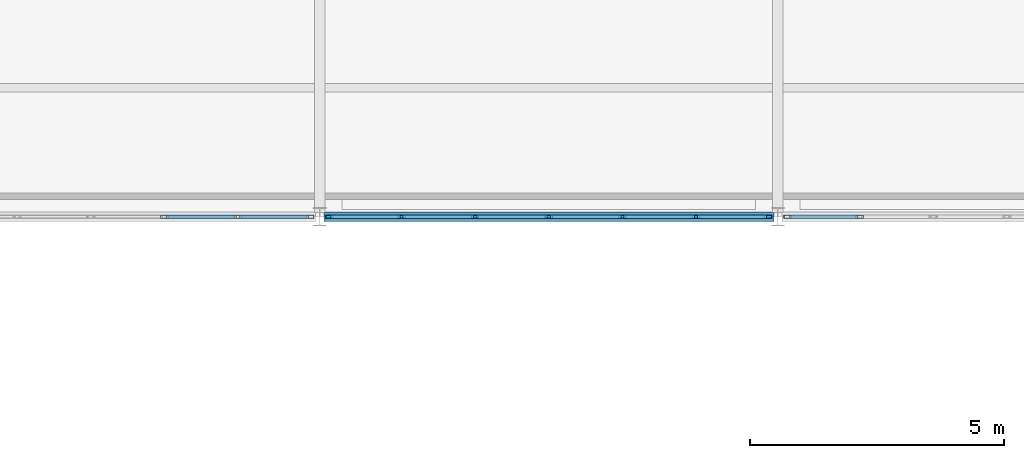
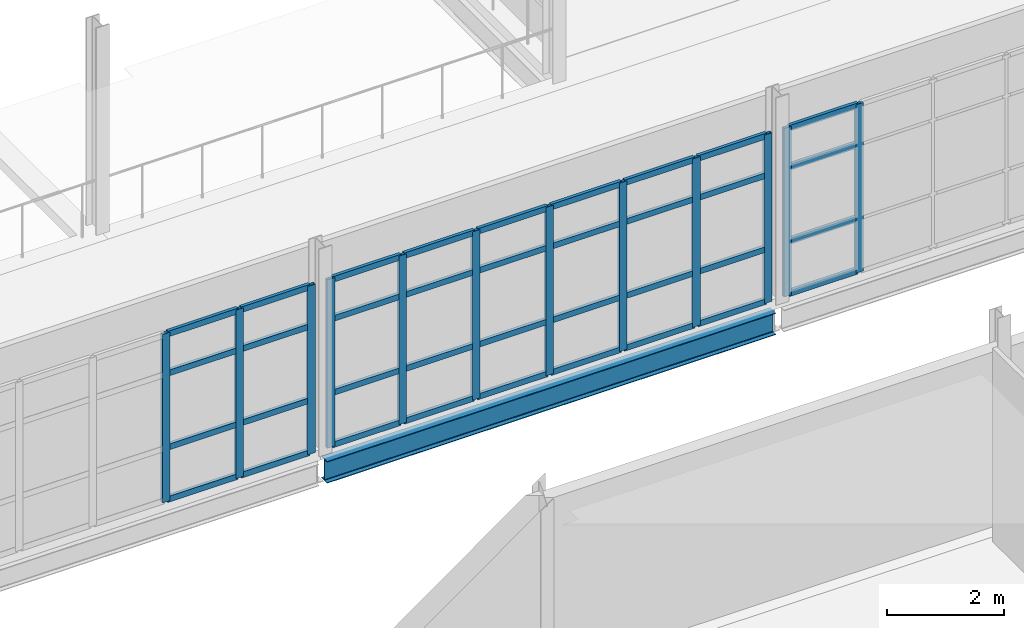
# One storey, part 34 of 174: 48 members, 1 beam, 3 elements without a shape of their own.
"""IFC4 building model written with IfcOpenShell, lengths in metres."""

import ifcopenshell
import ifcopenshell.guid

model = None  # the IFC model being written
_history = None  # IfcOwnerHistory: only IFC2X3 demands one
_inside = {}  # id of a spatial element -> (the spatial element, [elements in it])
_under = {}  # id of a project, library or spatial element -> (it, [spatial elements below it])
_declared = {}  # id of a project -> (the project, [libraries it declares])
_typed = {}  # id of a type object -> (the type object, [elements of that type])
_made_of = {}  # id of a material, layer set ... -> (it, [elements and type objects made of it])


def new_model(schema):
    """Start an empty IFC model of exactly this schema.

    Asked for "IFC4X3", IfcOpenShell would pick the latest addendum, in which some entities
    have other attributes; the version numbers below select the first issue.
    IFC2X3 requires an IfcOwnerHistory on every rooted entity: one is made here for all.
    """
    global model, _history
    if schema == "IFC4X3":
        model = ifcopenshell.file(schema_version=(4, 3, 0, 0))
    else:
        model = ifcopenshell.file(schema=schema)
    _inside.clear()
    _under.clear()
    _declared.clear()
    _typed.clear()
    _made_of.clear()
    _history = None
    if model.schema == "IFC2X3":
        org = make("IfcOrganization", Name="unknown")
        user = make(
            "IfcPersonAndOrganization",
            ThePerson=make("IfcPerson", FamilyName="unknown"),
            TheOrganization=org,
        )
        app = make(
            "IfcApplication",
            ApplicationDeveloper=org,
            Version="unknown",
            ApplicationFullName="unknown",
            ApplicationIdentifier="unknown",
        )
        _history = make(
            "IfcOwnerHistory",
            OwningUser=user,
            OwningApplication=app,
            ChangeAction="ADDED",
            CreationDate=0,
        )
    return model


def make(cls, **values):
    """One entity of the class cls with the attributes given. An attribute that is None is left unset."""
    return model.create_entity(
        cls, **{name: value for name, value in values.items() if value is not None}
    )


def rooted(cls, **values):
    """An entity with a GlobalId (a new one), such as an element, a storey or a relation."""
    return make(cls, GlobalId=ifcopenshell.guid.new(), OwnerHistory=_history, **values)


def si_unit(unit_type, name, prefix=None):
    """IfcSIUnit, for example si_unit("LENGTHUNIT", "METRE", prefix="MILLI")."""
    return make("IfcSIUnit", UnitType=unit_type, Prefix=prefix, Name=name)


def assignment(units):
    """IfcUnitAssignment: the units of a project."""
    return None if units is None else make("IfcUnitAssignment", Units=units)


def point(xyz):
    """IfcCartesianPoint."""
    return None if xyz is None else make("IfcCartesianPoint", Coordinates=xyz)


def direction(xyz):
    """IfcDirection."""
    return None if xyz is None else make("IfcDirection", DirectionRatios=xyz)


def frame(location, z_axis=None, x_axis=None):
    """IfcAxis2Placement3D, a coordinate frame: its origin and axes. An axis left out is left unset."""
    return make(
        "IfcAxis2Placement3D",
        Location=point(location),
        Axis=direction(z_axis),
        RefDirection=direction(x_axis),
    )


def frame_2d(location, x_axis=None):
    """IfcAxis2Placement2D, a coordinate frame in the plane: its origin and x axis."""
    return make(
        "IfcAxis2Placement2D", Location=point(location), RefDirection=direction(x_axis)
    )


def origin():
    """The frame at (0, 0, 0) with its axes left unset."""
    return frame((0.0, 0.0, 0.0))


def origin_2d():
    """The frame at (0, 0) in the plane with its x axis left unset."""
    return frame_2d((0.0, 0.0))


def place(relative_to, where):
    """IfcLocalPlacement: puts the frame where relative to a parent placement (None: the world)."""
    return make(
        "IfcLocalPlacement", PlacementRelTo=relative_to, RelativePlacement=where
    )


def context(
    kind, dimensions, precision=None, world=None, true_north=None, identifier=None
):
    """IfcGeometricRepresentationContext, for example the 3D "Model" context."""
    return make(
        "IfcGeometricRepresentationContext",
        ContextIdentifier=identifier,
        ContextType=kind,
        CoordinateSpaceDimension=dimensions,
        Precision=precision,
        WorldCoordinateSystem=world,
        TrueNorth=true_north,
    )


def subcontext(parent, identifier, kind, view, scale=None):
    """IfcGeometricRepresentationSubContext, for example "Body" below "Model"."""
    return make(
        "IfcGeometricRepresentationSubContext",
        ContextIdentifier=identifier,
        ContextType=kind,
        ParentContext=parent,
        TargetScale=scale,
        TargetView=view,
    )


def project(units=None, contexts=None):
    """IfcProject with its units and contexts."""
    return rooted(
        "IfcProject",
        Name="project",
        RepresentationContexts=contexts,
        UnitsInContext=assignment(units),
    )


def spatial(cls, under=None, at=None, **own):
    """A site, building, storey or space (cls), placed at a placement, below another one or the project."""
    s = rooted(cls, ObjectPlacement=at, **own)
    if under is not None:
        _under.setdefault(under.id(), (under, []))[1].append(s)
    return s


def profile(cls, at=None, kind="AREA", **sizes):
    """A parametric profile (cls). Its sizes go by their IFC names, for example OverallWidth=200.0."""
    return make(cls, ProfileType=kind, Position=at, **sizes)


def hollow_rectangle(**sizes):
    """IfcRectangleHollowProfileDef."""
    return profile("IfcRectangleHollowProfileDef", **sizes)


def i_section(**sizes):
    """IfcIShapeProfileDef."""
    return profile("IfcIShapeProfileDef", **sizes)


def extrude(swept, where, along, depth):
    """IfcExtrudedAreaSolid: the profile swept, set in the frame where, extruded along a direction by depth."""
    return make(
        "IfcExtrudedAreaSolid",
        SweptArea=swept,
        Position=where,
        ExtrudedDirection=direction(along),
        Depth=depth,
    )


def shape(context_of_items, identifier, shape_type, items):
    """IfcShapeRepresentation: the items that make up one representation, for example the "Body"."""
    return make(
        "IfcShapeRepresentation",
        ContextOfItems=context_of_items,
        RepresentationIdentifier=identifier,
        RepresentationType=shape_type,
        Items=items,
    )


def material(Name=None, Category=None):
    """IfcMaterial."""
    return make("IfcMaterial", Name=Name, Category=Category)


def material_profile(
    of_material, cross_section, Name=None, Category=None, Priority=None
):
    """IfcMaterialProfile: a cross section and its material."""
    return make(
        "IfcMaterialProfile",
        Name=Name,
        Material=of_material,
        Profile=cross_section,
        Priority=Priority,
        Category=Category,
    )


def profile_set(profiles, Name=None, composite=None):
    """IfcMaterialProfileSet."""
    return make(
        "IfcMaterialProfileSet",
        Name=Name,
        MaterialProfiles=profiles,
        CompositeProfile=composite,
    )


def made_of(thing, what):
    """Note that an element or type object is made of a material, layer set ...; save() writes the relation."""
    if what is not None:
        _made_of.setdefault(what.id(), (what, []))[1].append(thing)
    return thing


def type_object(cls, material=None, **own):
    """A type object (cls), such as IfcWallType, which elements share."""
    return made_of(rooted(cls, **own), material)


def element(
    cls,
    number,
    at=None,
    inside=None,
    cuts=None,
    type_object=None,
    material=None,
    context=None,
    identifier="Body",
    shape_type=None,
    held_by="IfcProductDefinitionShape",
    body=None,
    shapes=None,
    **own,
):
    """One element of the class cls, such as IfcWall. Its Tag is "e" and its number.

    at: its placement. inside: the storey or other place that contains it. cuts: it is an
    opening in that element (IfcRelVoidsElement). A single representation is given by context,
    identifier, shape_type and body (its items); several are given by shapes. held_by: the class
    of the entity that holds the representations. save() writes the other relations.
    """
    e = rooted(cls, Tag="e%d" % number, ObjectPlacement=at, **own)
    if body is not None:
        shapes = [shape(context, identifier, shape_type, body)]
    if shapes is not None:
        e.Representation = make(held_by, Representations=shapes)
    if inside is not None:
        _inside.setdefault(inside.id(), (inside, []))[1].append(e)
    if cuts is not None:
        rooted(
            "IfcRelVoidsElement", RelatingBuildingElement=cuts, RelatedOpeningElement=e
        )
    if type_object is not None:
        _typed.setdefault(type_object.id(), (type_object, []))[1].append(e)
    return made_of(e, material)


def aggregate(whole, parts):
    """IfcRelAggregates: a whole, such as a stair, and the parts it consists of."""
    return rooted("IfcRelAggregates", RelatingObject=whole, RelatedObjects=parts)


def save(model, path):
    """Write the relations noted so far, then the file.

    IfcRelAggregates (storeys below a building ...), IfcRelContainedInSpatialStructure (elements
    in a storey), IfcRelDefinesByType, IfcRelAssociatesMaterial and IfcRelDeclares: one each for
    every whole, place, type object, material and project.
    """
    for whole, parts in _under.values():
        aggregate(whole, parts)
    for where, things in _inside.values():
        rooted(
            "IfcRelContainedInSpatialStructure",
            RelatedElements=things,
            RelatingStructure=where,
        )
    for kind, things in _typed.values():
        rooted("IfcRelDefinesByType", RelatedObjects=things, RelatingType=kind)
    for what, things in _made_of.values():
        rooted("IfcRelAssociatesMaterial", RelatedObjects=things, RelatingMaterial=what)
    for by, libraries in _declared.values():
        rooted("IfcRelDeclares", RelatingContext=by, RelatedDefinitions=libraries)
    model.write(path)


model = new_model("IFC4")

# Units and contexts
model_context = context("Model", 3, precision=1e-05, world=origin(), true_north=direction((0.0, 1.0)))
body_context = subcontext(model_context, "Body", "Model", "MODEL_VIEW")
ifc_project = project(units=[si_unit("LENGTHUNIT", "METRE"), si_unit("AREAUNIT", "SQUARE_METRE"), si_unit("VOLUMEUNIT", "CUBIC_METRE"), si_unit("PLANEANGLEUNIT", "RADIAN"), si_unit("MASSUNIT", "GRAM", prefix="KILO")], contexts=[model_context])

# Site, building, storey
site_placement = place(None, origin())
site = spatial("IfcSite", under=ifc_project, at=site_placement, CompositionType="ELEMENT")
building_placement = place(site_placement, origin())
building = spatial("IfcBuilding", under=site, at=building_placement, Name="Caisbarro Railhouse Central Library", CompositionType="ELEMENT")
storey_placement = place(building_placement, frame((0.0, 0.0, 5.0400390625)))
storey = spatial("IfcBuildingStorey", under=building, at=storey_placement, Name="L01", CompositionType="ELEMENT", Elevation=5.0400390625)

# Beam
ifc_material_1 = material(Name="Steel ASTM A572 Grade 50", Category="steel")
ifc_material_profile_1 = material_profile(ifc_material_1, i_section(OverallWidth=0.18994140625, OverallDepth=0.45703125, WebThickness=0.009033203125, FlangeThickness=0.014404296875, FilletRadius=0.01806640625, at=origin_2d()), Name="W460X74.0")
ifc_profile_set_1 = profile_set([ifc_material_profile_1], Name="Steel ASTM A572 Grade 50")
beam_type = type_object("IfcBeamType", Name="BM-SP01", PredefinedType="SPANDREL", material=ifc_profile_set_1)
beam_placement = place(storey_placement, frame((36.080078125, 30.39990234375, -0.448486328125), z_axis=(1.0, 0.0, 0.0), x_axis=(0.0, 1.0, 0.0)))
element("IfcBeam", 1, at=beam_placement, inside=storey, type_object=beam_type, Name="SP01 beam L01 #794", PredefinedType="SPANDREL", context=body_context, shape_type="SweptSolid", body=[
    extrude(i_section(OverallWidth=0.18994140625, OverallDepth=0.45703125, WebThickness=0.009033203125, FlangeThickness=0.014404296875, FilletRadius=0.01806640625, at=origin_2d()), origin(), (0.0, 0.0, 1.0), 8.83984375),
])

# Curtain wall, members
ifc_material_2 = material(Name="Anodised architectural aluminium", Category="aluminium")
curtain_wall_type = type_object("IfcCurtainWallType", Name="CW-CW02", PredefinedType="NOTDEFINED", material=ifc_material_2)
curtain_wall_1_placement = place(storey_placement, origin())
curtain_wall_1 = element("IfcCurtainWall", 2, at=curtain_wall_1_placement, inside=storey, type_object=curtain_wall_type, Name="CW02 curtain wall L01 #35", PredefinedType="NOTDEFINED")
ifc_material_profile_2 = material_profile(ifc_material_2, hollow_rectangle(XDim=0.06494140625, YDim=0.14990234375, WallThickness=0.00390625, at=origin_2d()), Name="ALU-MUL-65X150")
ifc_profile_set_2 = profile_set([ifc_material_profile_2], Name="Anodised architectural aluminium")
member_type_1 = type_object("IfcMemberType", Name="CWM-M02", PredefinedType="MULLION", material=ifc_profile_set_2)
member_1_placement = place(storey_placement, frame((32.94677734375, 30.39990234375, 0.0), z_axis=(0.0, 0.0, 1.0), x_axis=(0.0, 1.0, 0.0)))
member_1 = element("IfcMember", 3, at=member_1_placement, type_object=member_type_1, Name="CW02 mullion 5", PredefinedType="MULLION", context=body_context, shape_type="SweptSolid", body=[
    extrude(hollow_rectangle(XDim=0.06494140625, YDim=0.14990234375, WallThickness=0.00390625, at=origin_2d()), origin(), (0.0, 0.0, 1.0), 3.510009765625),
])
member_2_placement = place(storey_placement, frame((34.393310546875, 30.39990234375, 0.0), z_axis=(0.0, 0.0, 1.0), x_axis=(0.0, 1.0, 0.0)))
member_2 = element("IfcMember", 4, at=member_2_placement, type_object=member_type_1, Name="CW02 mullion 6", PredefinedType="MULLION", context=body_context, shape_type="SweptSolid", body=[
    extrude(hollow_rectangle(XDim=0.06494140625, YDim=0.14990234375, WallThickness=0.00390625, at=origin_2d()), origin(), (0.0, 0.0, 1.0), 3.510009765625),
])
member_3_placement = place(storey_placement, frame((35.8076171875, 30.39990234375, 0.0), z_axis=(0.0, 0.0, 1.0), x_axis=(0.0, 1.0, 0.0)))
member_3 = element("IfcMember", 5, at=member_3_placement, type_object=member_type_1, Name="CW02 mullion 7", PredefinedType="MULLION", context=body_context, shape_type="SweptSolid", body=[
    extrude(hollow_rectangle(XDim=0.06494140625, YDim=0.14990234375, WallThickness=0.00390625, at=origin_2d()), origin(), (0.0, 0.0, 1.0), 3.510009765625),
])

curtain_wall_2_placement = place(storey_placement, origin())
curtain_wall_2 = element("IfcCurtainWall", 6, at=curtain_wall_2_placement, inside=storey, type_object=curtain_wall_type, Name="CW02 curtain wall L01 #36", PredefinedType="NOTDEFINED")
member_4_placement = place(storey_placement, frame((36.1923828125, 30.39990234375, 0.0), z_axis=(0.0, 0.0, 1.0), x_axis=(0.0, 1.0, 0.0)))
member_4 = element("IfcMember", 7, at=member_4_placement, type_object=member_type_1, Name="CW02 mullion 1", PredefinedType="MULLION", context=body_context, shape_type="SweptSolid", body=[
    extrude(hollow_rectangle(XDim=0.06494140625, YDim=0.14990234375, WallThickness=0.00390625, at=origin_2d()), origin(), (0.0, 0.0, 1.0), 3.510009765625),
])
member_5_placement = place(storey_placement, frame((37.606689453125, 30.39990234375, 0.0), z_axis=(0.0, 0.0, 1.0), x_axis=(0.0, 1.0, 0.0)))
member_5 = element("IfcMember", 8, at=member_5_placement, type_object=member_type_1, Name="CW02 mullion 2", PredefinedType="MULLION", context=body_context, shape_type="SweptSolid", body=[
    extrude(hollow_rectangle(XDim=0.06494140625, YDim=0.14990234375, WallThickness=0.00390625, at=origin_2d()), origin(), (0.0, 0.0, 1.0), 3.510009765625),
])
member_6_placement = place(storey_placement, frame((39.05322265625, 30.39990234375, 0.0), z_axis=(0.0, 0.0, 1.0), x_axis=(0.0, 1.0, 0.0)))
member_6 = element("IfcMember", 9, at=member_6_placement, type_object=member_type_1, Name="CW02 mullion 3", PredefinedType="MULLION", context=body_context, shape_type="SweptSolid", body=[
    extrude(hollow_rectangle(XDim=0.06494140625, YDim=0.14990234375, WallThickness=0.00390625, at=origin_2d()), origin(), (0.0, 0.0, 1.0), 3.510009765625),
])
member_7_placement = place(storey_placement, frame((40.5, 30.39990234375, 0.0), z_axis=(0.0, 0.0, 1.0), x_axis=(0.0, 1.0, 0.0)))
member_7 = element("IfcMember", 10, at=member_7_placement, type_object=member_type_1, Name="CW02 mullion 4", PredefinedType="MULLION", context=body_context, shape_type="SweptSolid", body=[
    extrude(hollow_rectangle(XDim=0.06494140625, YDim=0.14990234375, WallThickness=0.00390625, at=origin_2d()), origin(), (0.0, 0.0, 1.0), 3.510009765625),
])
member_8_placement = place(storey_placement, frame((41.94677734375, 30.39990234375, 0.0), z_axis=(0.0, 0.0, 1.0), x_axis=(0.0, 1.0, 0.0)))
member_8 = element("IfcMember", 11, at=member_8_placement, type_object=member_type_1, Name="CW02 mullion 5", PredefinedType="MULLION", context=body_context, shape_type="SweptSolid", body=[
    extrude(hollow_rectangle(XDim=0.06494140625, YDim=0.14990234375, WallThickness=0.00390625, at=origin_2d()), origin(), (0.0, 0.0, 1.0), 3.510009765625),
])
member_9_placement = place(storey_placement, frame((43.393310546875, 30.39990234375, 0.0), z_axis=(0.0, 0.0, 1.0), x_axis=(0.0, 1.0, 0.0)))
member_9 = element("IfcMember", 12, at=member_9_placement, type_object=member_type_1, Name="CW02 mullion 6", PredefinedType="MULLION", context=body_context, shape_type="SweptSolid", body=[
    extrude(hollow_rectangle(XDim=0.06494140625, YDim=0.14990234375, WallThickness=0.00390625, at=origin_2d()), origin(), (0.0, 0.0, 1.0), 3.510009765625),
])
member_10_placement = place(storey_placement, frame((44.8076171875, 30.39990234375, 0.0), z_axis=(0.0, 0.0, 1.0), x_axis=(0.0, 1.0, 0.0)))
member_10 = element("IfcMember", 13, at=member_10_placement, type_object=member_type_1, Name="CW02 mullion 7", PredefinedType="MULLION", context=body_context, shape_type="SweptSolid", body=[
    extrude(hollow_rectangle(XDim=0.06494140625, YDim=0.14990234375, WallThickness=0.00390625, at=origin_2d()), origin(), (0.0, 0.0, 1.0), 3.510009765625),
])

curtain_wall_3_placement = place(storey_placement, origin())
curtain_wall_3 = element("IfcCurtainWall", 14, at=curtain_wall_3_placement, inside=storey, type_object=curtain_wall_type, Name="CW02 curtain wall L01 #37", PredefinedType="NOTDEFINED")
member_11_placement = place(storey_placement, frame((45.1923828125, 30.39990234375, 0.0), z_axis=(0.0, 0.0, 1.0), x_axis=(0.0, 1.0, 0.0)))
member_11 = element("IfcMember", 15, at=member_11_placement, type_object=member_type_1, Name="CW02 mullion 1", PredefinedType="MULLION", context=body_context, shape_type="SweptSolid", body=[
    extrude(hollow_rectangle(XDim=0.06494140625, YDim=0.14990234375, WallThickness=0.00390625, at=origin_2d()), origin(), (0.0, 0.0, 1.0), 3.510009765625),
])
member_12_placement = place(storey_placement, frame((46.606689453125, 30.39990234375, 0.0), z_axis=(0.0, 0.0, 1.0), x_axis=(0.0, 1.0, 0.0)))
member_12 = element("IfcMember", 16, at=member_12_placement, type_object=member_type_1, Name="CW02 mullion 2", PredefinedType="MULLION", context=body_context, shape_type="SweptSolid", body=[
    extrude(hollow_rectangle(XDim=0.06494140625, YDim=0.14990234375, WallThickness=0.00390625, at=origin_2d()), origin(), (0.0, 0.0, 1.0), 3.510009765625),
])

# Member
ifc_material_profile_3 = material_profile(ifc_material_2, hollow_rectangle(XDim=0.06494140625, YDim=0.1201171875, WallThickness=0.00341796875, at=origin_2d()), Name="ALU-TRN-65X120")
ifc_profile_set_3 = profile_set([ifc_material_profile_3], Name="Anodised architectural aluminium")
member_type_2 = type_object("IfcMemberType", Name="CWT-T02", PredefinedType="USERDEFINED", material=ifc_profile_set_3)
member_13_placement = place(storey_placement, frame((32.979248046875, 30.39990234375, 0.032470703125), z_axis=(1.0, 0.0, 0.0), x_axis=(0.0, 1.0, 0.0)))
member_13 = element("IfcMember", 17, at=member_13_placement, type_object=member_type_2, Name="CW02 transom 5.1", ObjectType="TRANSOM", PredefinedType="USERDEFINED", context=body_context, shape_type="SweptSolid", body=[
    extrude(hollow_rectangle(XDim=0.06494140625, YDim=0.1201171875, WallThickness=0.00341796875, at=origin_2d()), origin(), (0.0, 0.0, 1.0), 1.381591796875),
])

member_14_placement = place(storey_placement, frame((32.979248046875, 30.39990234375, 1.119873046875), z_axis=(1.0, 0.0, 0.0), x_axis=(0.0, 1.0, 0.0)))
member_14 = element("IfcMember", 18, at=member_14_placement, type_object=member_type_2, Name="CW02 transom 5.2", ObjectType="TRANSOM", PredefinedType="USERDEFINED", context=body_context, shape_type="SweptSolid", body=[
    extrude(hollow_rectangle(XDim=0.06494140625, YDim=0.1201171875, WallThickness=0.00341796875, at=origin_2d()), origin(), (0.0, 0.0, 1.0), 1.381591796875),
])

member_15_placement = place(storey_placement, frame((32.979248046875, 30.39990234375, 2.659912109375), z_axis=(1.0, 0.0, 0.0), x_axis=(0.0, 1.0, 0.0)))
member_15 = element("IfcMember", 19, at=member_15_placement, type_object=member_type_2, Name="CW02 transom 5.3", ObjectType="TRANSOM", PredefinedType="USERDEFINED", context=body_context, shape_type="SweptSolid", body=[
    extrude(hollow_rectangle(XDim=0.06494140625, YDim=0.1201171875, WallThickness=0.00341796875, at=origin_2d()), origin(), (0.0, 0.0, 1.0), 1.381591796875),
])

member_16_placement = place(storey_placement, frame((32.979248046875, 30.39990234375, 3.4775390625), z_axis=(1.0, 0.0, 0.0), x_axis=(0.0, 1.0, 0.0)))
member_16 = element("IfcMember", 20, at=member_16_placement, type_object=member_type_2, Name="CW02 transom 5.4", ObjectType="TRANSOM", PredefinedType="USERDEFINED", context=body_context, shape_type="SweptSolid", body=[
    extrude(hollow_rectangle(XDim=0.06494140625, YDim=0.1201171875, WallThickness=0.00341796875, at=origin_2d()), origin(), (0.0, 0.0, 1.0), 1.381591796875),
])

member_17_placement = place(storey_placement, frame((34.42578125, 30.39990234375, 0.032470703125), z_axis=(1.0, 0.0, 0.0), x_axis=(0.0, 1.0, 0.0)))
member_17 = element("IfcMember", 21, at=member_17_placement, type_object=member_type_2, Name="CW02 transom 6.1", ObjectType="TRANSOM", PredefinedType="USERDEFINED", context=body_context, shape_type="SweptSolid", body=[
    extrude(hollow_rectangle(XDim=0.06494140625, YDim=0.1201171875, WallThickness=0.00341796875, at=origin_2d()), origin(), (0.0, 0.0, 1.0), 1.34912109375),
])

member_18_placement = place(storey_placement, frame((34.42578125, 30.39990234375, 1.119873046875), z_axis=(1.0, 0.0, 0.0), x_axis=(0.0, 1.0, 0.0)))
member_18 = element("IfcMember", 22, at=member_18_placement, type_object=member_type_2, Name="CW02 transom 6.2", ObjectType="TRANSOM", PredefinedType="USERDEFINED", context=body_context, shape_type="SweptSolid", body=[
    extrude(hollow_rectangle(XDim=0.06494140625, YDim=0.1201171875, WallThickness=0.00341796875, at=origin_2d()), origin(), (0.0, 0.0, 1.0), 1.34912109375),
])

member_19_placement = place(storey_placement, frame((34.42578125, 30.39990234375, 2.659912109375), z_axis=(1.0, 0.0, 0.0), x_axis=(0.0, 1.0, 0.0)))
member_19 = element("IfcMember", 23, at=member_19_placement, type_object=member_type_2, Name="CW02 transom 6.3", ObjectType="TRANSOM", PredefinedType="USERDEFINED", context=body_context, shape_type="SweptSolid", body=[
    extrude(hollow_rectangle(XDim=0.06494140625, YDim=0.1201171875, WallThickness=0.00341796875, at=origin_2d()), origin(), (0.0, 0.0, 1.0), 1.34912109375),
])

member_20_placement = place(storey_placement, frame((34.42578125, 30.39990234375, 3.4775390625), z_axis=(1.0, 0.0, 0.0), x_axis=(0.0, 1.0, 0.0)))
member_20 = element("IfcMember", 24, at=member_20_placement, type_object=member_type_2, Name="CW02 transom 6.4", ObjectType="TRANSOM", PredefinedType="USERDEFINED", context=body_context, shape_type="SweptSolid", body=[
    extrude(hollow_rectangle(XDim=0.06494140625, YDim=0.1201171875, WallThickness=0.00341796875, at=origin_2d()), origin(), (0.0, 0.0, 1.0), 1.34912109375),
])

aggregate(curtain_wall_1, [member_1, member_2, member_3, member_13, member_14, member_15, member_16, member_17, member_18, member_19, member_20])

member_21_placement = place(storey_placement, frame((36.22509765625, 30.39990234375, 0.032470703125), z_axis=(1.0, 0.0, 0.0), x_axis=(0.0, 1.0, 0.0)))
member_21 = element("IfcMember", 25, at=member_21_placement, type_object=member_type_2, Name="CW02 transom 1.1", ObjectType="TRANSOM", PredefinedType="USERDEFINED", context=body_context, shape_type="SweptSolid", body=[
    extrude(hollow_rectangle(XDim=0.06494140625, YDim=0.1201171875, WallThickness=0.00341796875, at=origin_2d()), origin(), (0.0, 0.0, 1.0), 1.34912109375),
])

member_22_placement = place(storey_placement, frame((36.22509765625, 30.39990234375, 1.119873046875), z_axis=(1.0, 0.0, 0.0), x_axis=(0.0, 1.0, 0.0)))
member_22 = element("IfcMember", 26, at=member_22_placement, type_object=member_type_2, Name="CW02 transom 1.2", ObjectType="TRANSOM", PredefinedType="USERDEFINED", context=body_context, shape_type="SweptSolid", body=[
    extrude(hollow_rectangle(XDim=0.06494140625, YDim=0.1201171875, WallThickness=0.00341796875, at=origin_2d()), origin(), (0.0, 0.0, 1.0), 1.34912109375),
])

member_23_placement = place(storey_placement, frame((36.22509765625, 30.39990234375, 2.659912109375), z_axis=(1.0, 0.0, 0.0), x_axis=(0.0, 1.0, 0.0)))
member_23 = element("IfcMember", 27, at=member_23_placement, type_object=member_type_2, Name="CW02 transom 1.3", ObjectType="TRANSOM", PredefinedType="USERDEFINED", context=body_context, shape_type="SweptSolid", body=[
    extrude(hollow_rectangle(XDim=0.06494140625, YDim=0.1201171875, WallThickness=0.00341796875, at=origin_2d()), origin(), (0.0, 0.0, 1.0), 1.34912109375),
])

member_24_placement = place(storey_placement, frame((36.22509765625, 30.39990234375, 3.4775390625), z_axis=(1.0, 0.0, 0.0), x_axis=(0.0, 1.0, 0.0)))
member_24 = element("IfcMember", 28, at=member_24_placement, type_object=member_type_2, Name="CW02 transom 1.4", ObjectType="TRANSOM", PredefinedType="USERDEFINED", context=body_context, shape_type="SweptSolid", body=[
    extrude(hollow_rectangle(XDim=0.06494140625, YDim=0.1201171875, WallThickness=0.00341796875, at=origin_2d()), origin(), (0.0, 0.0, 1.0), 1.34912109375),
])

member_25_placement = place(storey_placement, frame((37.63916015625, 30.39990234375, 0.032470703125), z_axis=(1.0, 0.0, 0.0), x_axis=(0.0, 1.0, 0.0)))
member_25 = element("IfcMember", 29, at=member_25_placement, type_object=member_type_2, Name="CW02 transom 2.1", ObjectType="TRANSOM", PredefinedType="USERDEFINED", context=body_context, shape_type="SweptSolid", body=[
    extrude(hollow_rectangle(XDim=0.06494140625, YDim=0.1201171875, WallThickness=0.00341796875, at=origin_2d()), origin(), (0.0, 0.0, 1.0), 1.381591796875),
])

member_26_placement = place(storey_placement, frame((37.63916015625, 30.39990234375, 1.119873046875), z_axis=(1.0, 0.0, 0.0), x_axis=(0.0, 1.0, 0.0)))
member_26 = element("IfcMember", 30, at=member_26_placement, type_object=member_type_2, Name="CW02 transom 2.2", ObjectType="TRANSOM", PredefinedType="USERDEFINED", context=body_context, shape_type="SweptSolid", body=[
    extrude(hollow_rectangle(XDim=0.06494140625, YDim=0.1201171875, WallThickness=0.00341796875, at=origin_2d()), origin(), (0.0, 0.0, 1.0), 1.381591796875),
])

member_27_placement = place(storey_placement, frame((37.63916015625, 30.39990234375, 2.659912109375), z_axis=(1.0, 0.0, 0.0), x_axis=(0.0, 1.0, 0.0)))
member_27 = element("IfcMember", 31, at=member_27_placement, type_object=member_type_2, Name="CW02 transom 2.3", ObjectType="TRANSOM", PredefinedType="USERDEFINED", context=body_context, shape_type="SweptSolid", body=[
    extrude(hollow_rectangle(XDim=0.06494140625, YDim=0.1201171875, WallThickness=0.00341796875, at=origin_2d()), origin(), (0.0, 0.0, 1.0), 1.381591796875),
])

member_28_placement = place(storey_placement, frame((37.63916015625, 30.39990234375, 3.4775390625), z_axis=(1.0, 0.0, 0.0), x_axis=(0.0, 1.0, 0.0)))
member_28 = element("IfcMember", 32, at=member_28_placement, type_object=member_type_2, Name="CW02 transom 2.4", ObjectType="TRANSOM", PredefinedType="USERDEFINED", context=body_context, shape_type="SweptSolid", body=[
    extrude(hollow_rectangle(XDim=0.06494140625, YDim=0.1201171875, WallThickness=0.00341796875, at=origin_2d()), origin(), (0.0, 0.0, 1.0), 1.381591796875),
])

member_29_placement = place(storey_placement, frame((39.0859375, 30.39990234375, 0.032470703125), z_axis=(1.0, 0.0, 0.0), x_axis=(0.0, 1.0, 0.0)))
member_29 = element("IfcMember", 33, at=member_29_placement, type_object=member_type_2, Name="CW02 transom 3.1", ObjectType="TRANSOM", PredefinedType="USERDEFINED", context=body_context, shape_type="SweptSolid", body=[
    extrude(hollow_rectangle(XDim=0.06494140625, YDim=0.1201171875, WallThickness=0.00341796875, at=origin_2d()), origin(), (0.0, 0.0, 1.0), 1.381591796875),
])

member_30_placement = place(storey_placement, frame((39.0859375, 30.39990234375, 1.119873046875), z_axis=(1.0, 0.0, 0.0), x_axis=(0.0, 1.0, 0.0)))
member_30 = element("IfcMember", 34, at=member_30_placement, type_object=member_type_2, Name="CW02 transom 3.2", ObjectType="TRANSOM", PredefinedType="USERDEFINED", context=body_context, shape_type="SweptSolid", body=[
    extrude(hollow_rectangle(XDim=0.06494140625, YDim=0.1201171875, WallThickness=0.00341796875, at=origin_2d()), origin(), (0.0, 0.0, 1.0), 1.381591796875),
])

member_31_placement = place(storey_placement, frame((39.0859375, 30.39990234375, 2.659912109375), z_axis=(1.0, 0.0, 0.0), x_axis=(0.0, 1.0, 0.0)))
member_31 = element("IfcMember", 35, at=member_31_placement, type_object=member_type_2, Name="CW02 transom 3.3", ObjectType="TRANSOM", PredefinedType="USERDEFINED", context=body_context, shape_type="SweptSolid", body=[
    extrude(hollow_rectangle(XDim=0.06494140625, YDim=0.1201171875, WallThickness=0.00341796875, at=origin_2d()), origin(), (0.0, 0.0, 1.0), 1.381591796875),
])

member_32_placement = place(storey_placement, frame((39.0859375, 30.39990234375, 3.4775390625), z_axis=(1.0, 0.0, 0.0), x_axis=(0.0, 1.0, 0.0)))
member_32 = element("IfcMember", 36, at=member_32_placement, type_object=member_type_2, Name="CW02 transom 3.4", ObjectType="TRANSOM", PredefinedType="USERDEFINED", context=body_context, shape_type="SweptSolid", body=[
    extrude(hollow_rectangle(XDim=0.06494140625, YDim=0.1201171875, WallThickness=0.00341796875, at=origin_2d()), origin(), (0.0, 0.0, 1.0), 1.381591796875),
])

member_33_placement = place(storey_placement, frame((40.532470703125, 30.39990234375, 0.032470703125), z_axis=(1.0, 0.0, 0.0), x_axis=(0.0, 1.0, 0.0)))
member_33 = element("IfcMember", 37, at=member_33_placement, type_object=member_type_2, Name="CW02 transom 4.1", ObjectType="TRANSOM", PredefinedType="USERDEFINED", context=body_context, shape_type="SweptSolid", body=[
    extrude(hollow_rectangle(XDim=0.06494140625, YDim=0.1201171875, WallThickness=0.00341796875, at=origin_2d()), origin(), (0.0, 0.0, 1.0), 1.381591796875),
])

member_34_placement = place(storey_placement, frame((40.532470703125, 30.39990234375, 1.119873046875), z_axis=(1.0, 0.0, 0.0), x_axis=(0.0, 1.0, 0.0)))
member_34 = element("IfcMember", 38, at=member_34_placement, type_object=member_type_2, Name="CW02 transom 4.2", ObjectType="TRANSOM", PredefinedType="USERDEFINED", context=body_context, shape_type="SweptSolid", body=[
    extrude(hollow_rectangle(XDim=0.06494140625, YDim=0.1201171875, WallThickness=0.00341796875, at=origin_2d()), origin(), (0.0, 0.0, 1.0), 1.381591796875),
])

member_35_placement = place(storey_placement, frame((40.532470703125, 30.39990234375, 2.659912109375), z_axis=(1.0, 0.0, 0.0), x_axis=(0.0, 1.0, 0.0)))
member_35 = element("IfcMember", 39, at=member_35_placement, type_object=member_type_2, Name="CW02 transom 4.3", ObjectType="TRANSOM", PredefinedType="USERDEFINED", context=body_context, shape_type="SweptSolid", body=[
    extrude(hollow_rectangle(XDim=0.06494140625, YDim=0.1201171875, WallThickness=0.00341796875, at=origin_2d()), origin(), (0.0, 0.0, 1.0), 1.381591796875),
])

member_36_placement = place(storey_placement, frame((40.532470703125, 30.39990234375, 3.4775390625), z_axis=(1.0, 0.0, 0.0), x_axis=(0.0, 1.0, 0.0)))
member_36 = element("IfcMember", 40, at=member_36_placement, type_object=member_type_2, Name="CW02 transom 4.4", ObjectType="TRANSOM", PredefinedType="USERDEFINED", context=body_context, shape_type="SweptSolid", body=[
    extrude(hollow_rectangle(XDim=0.06494140625, YDim=0.1201171875, WallThickness=0.00341796875, at=origin_2d()), origin(), (0.0, 0.0, 1.0), 1.381591796875),
])

member_37_placement = place(storey_placement, frame((41.979248046875, 30.39990234375, 0.032470703125), z_axis=(1.0, 0.0, 0.0), x_axis=(0.0, 1.0, 0.0)))
member_37 = element("IfcMember", 41, at=member_37_placement, type_object=member_type_2, Name="CW02 transom 5.1", ObjectType="TRANSOM", PredefinedType="USERDEFINED", context=body_context, shape_type="SweptSolid", body=[
    extrude(hollow_rectangle(XDim=0.06494140625, YDim=0.1201171875, WallThickness=0.00341796875, at=origin_2d()), origin(), (0.0, 0.0, 1.0), 1.381591796875),
])

member_38_placement = place(storey_placement, frame((41.979248046875, 30.39990234375, 1.119873046875), z_axis=(1.0, 0.0, 0.0), x_axis=(0.0, 1.0, 0.0)))
member_38 = element("IfcMember", 42, at=member_38_placement, type_object=member_type_2, Name="CW02 transom 5.2", ObjectType="TRANSOM", PredefinedType="USERDEFINED", context=body_context, shape_type="SweptSolid", body=[
    extrude(hollow_rectangle(XDim=0.06494140625, YDim=0.1201171875, WallThickness=0.00341796875, at=origin_2d()), origin(), (0.0, 0.0, 1.0), 1.381591796875),
])

member_39_placement = place(storey_placement, frame((41.979248046875, 30.39990234375, 2.659912109375), z_axis=(1.0, 0.0, 0.0), x_axis=(0.0, 1.0, 0.0)))
member_39 = element("IfcMember", 43, at=member_39_placement, type_object=member_type_2, Name="CW02 transom 5.3", ObjectType="TRANSOM", PredefinedType="USERDEFINED", context=body_context, shape_type="SweptSolid", body=[
    extrude(hollow_rectangle(XDim=0.06494140625, YDim=0.1201171875, WallThickness=0.00341796875, at=origin_2d()), origin(), (0.0, 0.0, 1.0), 1.381591796875),
])

member_40_placement = place(storey_placement, frame((41.979248046875, 30.39990234375, 3.4775390625), z_axis=(1.0, 0.0, 0.0), x_axis=(0.0, 1.0, 0.0)))
member_40 = element("IfcMember", 44, at=member_40_placement, type_object=member_type_2, Name="CW02 transom 5.4", ObjectType="TRANSOM", PredefinedType="USERDEFINED", context=body_context, shape_type="SweptSolid", body=[
    extrude(hollow_rectangle(XDim=0.06494140625, YDim=0.1201171875, WallThickness=0.00341796875, at=origin_2d()), origin(), (0.0, 0.0, 1.0), 1.381591796875),
])

member_41_placement = place(storey_placement, frame((43.42578125, 30.39990234375, 0.032470703125), z_axis=(1.0, 0.0, 0.0), x_axis=(0.0, 1.0, 0.0)))
member_41 = element("IfcMember", 45, at=member_41_placement, type_object=member_type_2, Name="CW02 transom 6.1", ObjectType="TRANSOM", PredefinedType="USERDEFINED", context=body_context, shape_type="SweptSolid", body=[
    extrude(hollow_rectangle(XDim=0.06494140625, YDim=0.1201171875, WallThickness=0.00341796875, at=origin_2d()), origin(), (0.0, 0.0, 1.0), 1.34912109375),
])

member_42_placement = place(storey_placement, frame((43.42578125, 30.39990234375, 1.119873046875), z_axis=(1.0, 0.0, 0.0), x_axis=(0.0, 1.0, 0.0)))
member_42 = element("IfcMember", 46, at=member_42_placement, type_object=member_type_2, Name="CW02 transom 6.2", ObjectType="TRANSOM", PredefinedType="USERDEFINED", context=body_context, shape_type="SweptSolid", body=[
    extrude(hollow_rectangle(XDim=0.06494140625, YDim=0.1201171875, WallThickness=0.00341796875, at=origin_2d()), origin(), (0.0, 0.0, 1.0), 1.34912109375),
])

member_43_placement = place(storey_placement, frame((43.42578125, 30.39990234375, 2.659912109375), z_axis=(1.0, 0.0, 0.0), x_axis=(0.0, 1.0, 0.0)))
member_43 = element("IfcMember", 47, at=member_43_placement, type_object=member_type_2, Name="CW02 transom 6.3", ObjectType="TRANSOM", PredefinedType="USERDEFINED", context=body_context, shape_type="SweptSolid", body=[
    extrude(hollow_rectangle(XDim=0.06494140625, YDim=0.1201171875, WallThickness=0.00341796875, at=origin_2d()), origin(), (0.0, 0.0, 1.0), 1.34912109375),
])

member_44_placement = place(storey_placement, frame((43.42578125, 30.39990234375, 3.4775390625), z_axis=(1.0, 0.0, 0.0), x_axis=(0.0, 1.0, 0.0)))
member_44 = element("IfcMember", 48, at=member_44_placement, type_object=member_type_2, Name="CW02 transom 6.4", ObjectType="TRANSOM", PredefinedType="USERDEFINED", context=body_context, shape_type="SweptSolid", body=[
    extrude(hollow_rectangle(XDim=0.06494140625, YDim=0.1201171875, WallThickness=0.00341796875, at=origin_2d()), origin(), (0.0, 0.0, 1.0), 1.34912109375),
])

aggregate(curtain_wall_2, [member_4, member_5, member_6, member_7, member_8, member_9, member_10, member_21, member_22, member_23, member_24, member_25, member_26, member_27, member_28, member_29, member_30, member_31, member_32, member_33, member_34, member_35, member_36, member_37, member_38, member_39, member_40, member_41, member_42, member_43, member_44])

member_45_placement = place(storey_placement, frame((45.22509765625, 30.39990234375, 0.032470703125), z_axis=(1.0, 0.0, 0.0), x_axis=(0.0, 1.0, 0.0)))
member_45 = element("IfcMember", 49, at=member_45_placement, type_object=member_type_2, Name="CW02 transom 1.1", ObjectType="TRANSOM", PredefinedType="USERDEFINED", context=body_context, shape_type="SweptSolid", body=[
    extrude(hollow_rectangle(XDim=0.06494140625, YDim=0.1201171875, WallThickness=0.00341796875, at=origin_2d()), origin(), (0.0, 0.0, 1.0), 1.34912109375),
])

member_46_placement = place(storey_placement, frame((45.22509765625, 30.39990234375, 1.119873046875), z_axis=(1.0, 0.0, 0.0), x_axis=(0.0, 1.0, 0.0)))
member_46 = element("IfcMember", 50, at=member_46_placement, type_object=member_type_2, Name="CW02 transom 1.2", ObjectType="TRANSOM", PredefinedType="USERDEFINED", context=body_context, shape_type="SweptSolid", body=[
    extrude(hollow_rectangle(XDim=0.06494140625, YDim=0.1201171875, WallThickness=0.00341796875, at=origin_2d()), origin(), (0.0, 0.0, 1.0), 1.34912109375),
])

member_47_placement = place(storey_placement, frame((45.22509765625, 30.39990234375, 2.659912109375), z_axis=(1.0, 0.0, 0.0), x_axis=(0.0, 1.0, 0.0)))
member_47 = element("IfcMember", 51, at=member_47_placement, type_object=member_type_2, Name="CW02 transom 1.3", ObjectType="TRANSOM", PredefinedType="USERDEFINED", context=body_context, shape_type="SweptSolid", body=[
    extrude(hollow_rectangle(XDim=0.06494140625, YDim=0.1201171875, WallThickness=0.00341796875, at=origin_2d()), origin(), (0.0, 0.0, 1.0), 1.34912109375),
])

member_48_placement = place(storey_placement, frame((45.22509765625, 30.39990234375, 3.4775390625), z_axis=(1.0, 0.0, 0.0), x_axis=(0.0, 1.0, 0.0)))
member_48 = element("IfcMember", 52, at=member_48_placement, type_object=member_type_2, Name="CW02 transom 1.4", ObjectType="TRANSOM", PredefinedType="USERDEFINED", context=body_context, shape_type="SweptSolid", body=[
    extrude(hollow_rectangle(XDim=0.06494140625, YDim=0.1201171875, WallThickness=0.00341796875, at=origin_2d()), origin(), (0.0, 0.0, 1.0), 1.34912109375),
])

aggregate(curtain_wall_3, [member_11, member_12, member_45, member_46, member_47, member_48])

save(model, "model.ifc")
